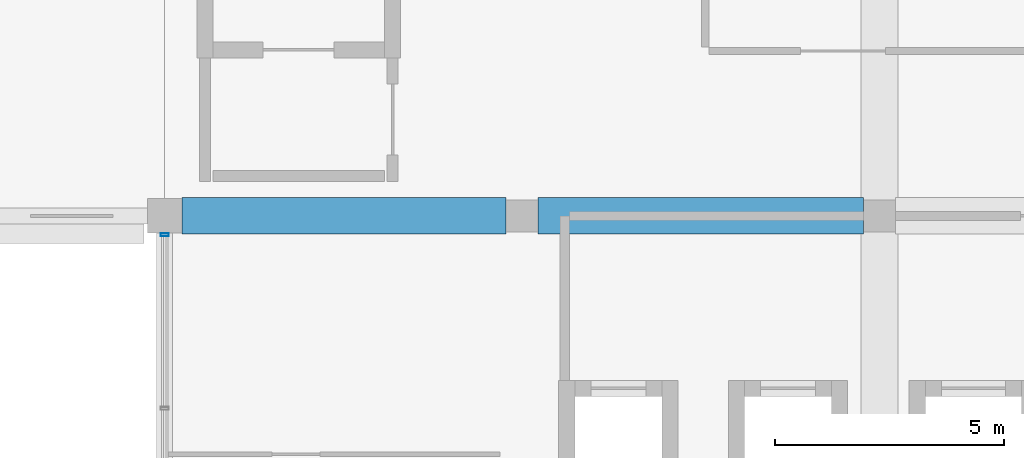
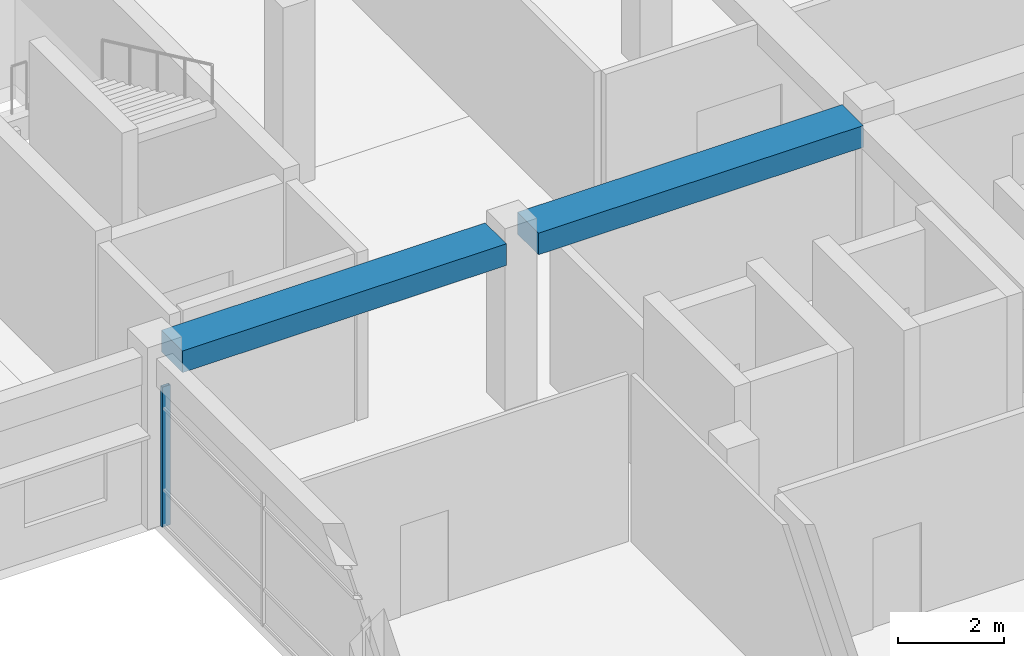
# One storey, part 23 of 53: 2 beams, 1 member, 1 element without a shape of its own.
"""IFC4 building model written with IfcOpenShell, lengths in metres."""

from ifc_helpers import new_model, si_unit, direction, frame, origin, origin_2d, place, context, subcontext, project, spatial, rectangle, hollow_rectangle, extrude, material, material_profile, profile_set, type_object, element, aggregate, save


model = new_model("IFC4")

# Units and contexts
model_context = context("Model", 3, precision=1e-05, world=origin(), true_north=direction((0.0, 1.0)))
body_context = subcontext(model_context, "Body", "Model", "MODEL_VIEW")
ifc_project = project(units=[si_unit("LENGTHUNIT", "METRE"), si_unit("AREAUNIT", "SQUARE_METRE"), si_unit("VOLUMEUNIT", "CUBIC_METRE"), si_unit("PLANEANGLEUNIT", "RADIAN"), si_unit("MASSUNIT", "GRAM", prefix="KILO"), si_unit("THERMODYNAMICTEMPERATUREUNIT", "KELVIN"), si_unit("POWERUNIT", "WATT")], contexts=[model_context])

# Site, building, storey
site_placement = place(None, origin())
site = spatial("IfcSite", under=ifc_project, at=site_placement, CompositionType="ELEMENT")
building_placement = place(site_placement, origin())
building = spatial("IfcBuilding", under=site, at=building_placement, Name="Srebrne Nadtorze General Hospital", CompositionType="ELEMENT")
storey_placement = place(building_placement, frame((0.0, 0.0, 18.0)))
storey = spatial("IfcBuildingStorey", under=building, at=storey_placement, Name="L04", CompositionType="ELEMENT", Elevation=18.0)

# Curtain wall, member
ifc_material_1 = material(Name="Anodised Aluminium", Category="aluminium")
curtain_wall_type = type_object("IfcCurtainWallType", Name="Unitised curtain wall 7650x3235", PredefinedType="NOTDEFINED", material=ifc_material_1)
curtain_wall_placement = place(storey_placement, origin())
curtain_wall = element("IfcCurtainWall", 1, at=curtain_wall_placement, inside=storey, type_object=curtain_wall_type, Name="Curtain wall CW-109", PredefinedType="NOTDEFINED")
ifc_material_2 = material(Name="Anodised Aluminium", Category="aluminium")
ifc_material_profile_1 = material_profile(ifc_material_2, hollow_rectangle(XDim=0.06494140625, YDim=0.179931640625, WallThickness=0.00390625, at=origin_2d()), Name="AL-MUL-65x180")
ifc_profile_set_1 = profile_set([ifc_material_profile_1], Name="Anodised Aluminium")
member_type = type_object("IfcMemberType", Name="Curtain mullion 65x180", PredefinedType="MULLION", material=ifc_profile_set_1)
member_placement = place(storey_placement, frame((101.39990234375, 49.992431640625, 0.0), z_axis=(0.0, 0.0, 1.0), x_axis=(0.0, 1.0, 0.0)))
member = element("IfcMember", 2, at=member_placement, type_object=member_type, Name="CW-109 mullion 3", PredefinedType="MULLION", context=body_context, shape_type="SweptSolid", body=[
    extrude(hollow_rectangle(XDim=0.06494140625, YDim=0.179931640625, WallThickness=0.00390625, at=origin_2d()), origin(), (0.0, 0.0, 1.0), 3.235107421875),
])
aggregate(curtain_wall, [member])

# Beams
ifc_material_3 = material(Name="Concrete C40/50", Category="concrete")
ifc_material_profile_2 = material_profile(ifc_material_3, rectangle(XDim=0.800048828125, YDim=0.5, at=origin_2d()), Name="RC-BM-800x500")
ifc_profile_set_2 = profile_set([ifc_material_profile_2], Name="Concrete C40/50")
beam_type = type_object("IfcBeamType", Name="Primary beam RC 800x500", PredefinedType="BEAM", material=ifc_profile_set_2)
beam_1_placement = place(storey_placement, frame((101.77490234375, 50.39990234375, 3.635009765625), z_axis=(1.0, 0.0, 0.0), x_axis=(0.0, 1.0, 0.0)))
element("IfcBeam", 3, at=beam_1_placement, inside=storey, type_object=beam_type, Name="Beam BM-L04-X-0891", PredefinedType="BEAM", context=body_context, shape_type="SweptSolid", body=[
    extrude(rectangle(XDim=0.800048828125, YDim=0.5, at=origin_2d()), origin(), (0.0, 0.0, 1.0), 7.0751953125),
])
beam_2_placement = place(storey_placement, frame((109.550048828125, 50.39990234375, 3.635009765625), z_axis=(1.0, 0.0, 0.0), x_axis=(0.0, 1.0, 0.0)))
element("IfcBeam", 4, at=beam_2_placement, inside=storey, type_object=beam_type, Name="Beam BM-L04-X-0892", PredefinedType="BEAM", context=body_context, shape_type="SweptSolid", body=[
    extrude(rectangle(XDim=0.800048828125, YDim=0.5, at=origin_2d()), origin(), (0.0, 0.0, 1.0), 7.099853515625),
])

save(model, "model.ifc")
